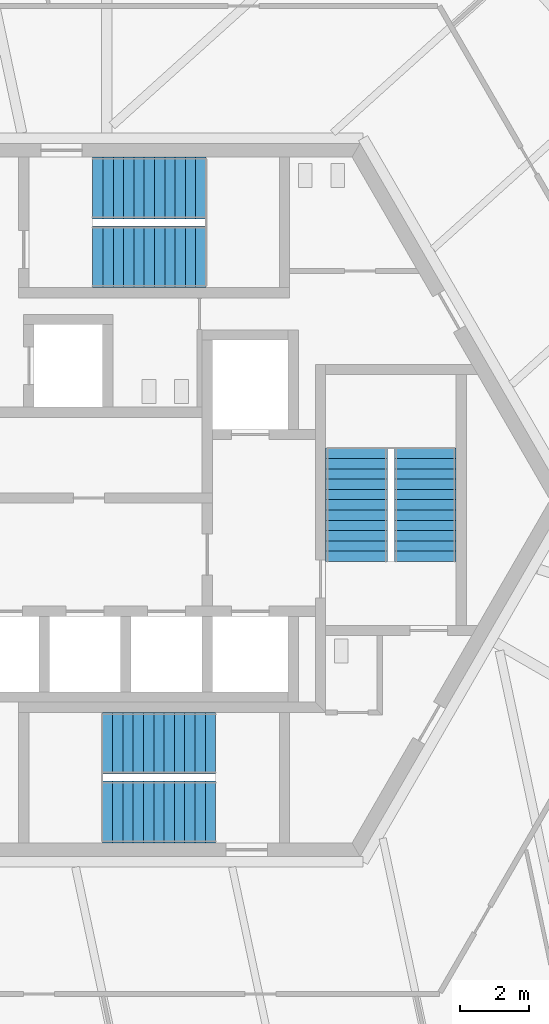
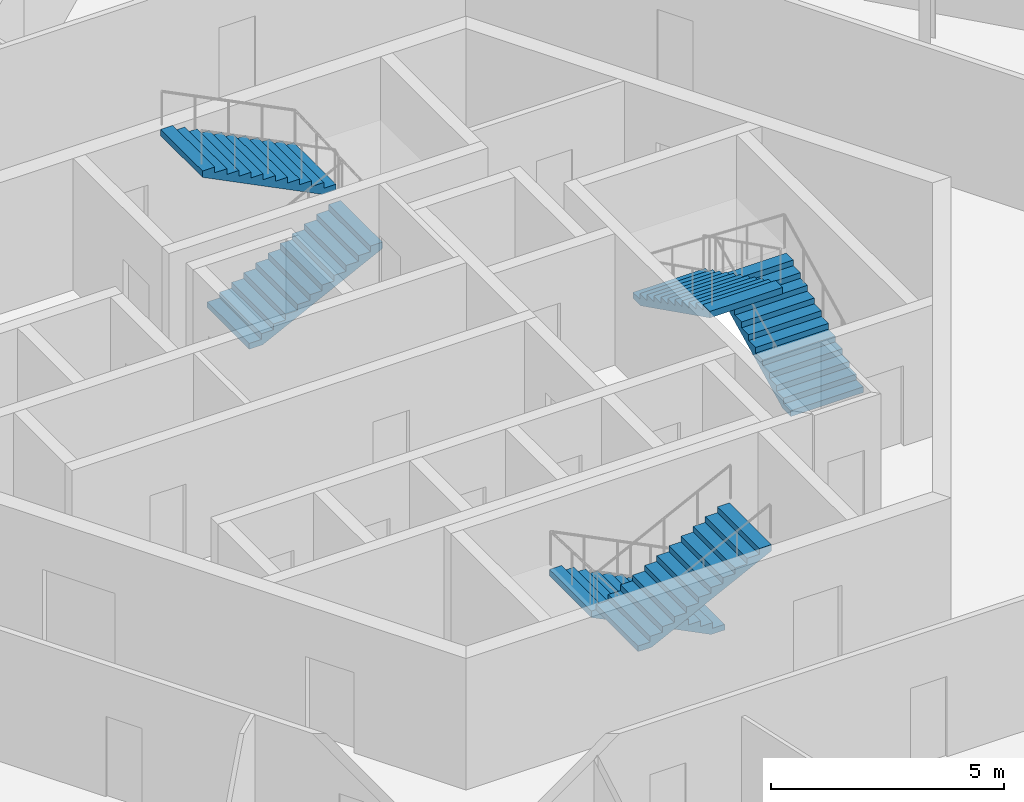
# One storey, part 13 of 15: 6 stair flights, 3 elements without a shape of their own.
"""IFC4 building model written with IfcOpenShell, lengths in metres."""

import ifcopenshell
import ifcopenshell.guid

model = None  # the IFC model being written
_history = None  # IfcOwnerHistory: only IFC2X3 demands one
_inside = {}  # id of a spatial element -> (the spatial element, [elements in it])
_under = {}  # id of a project, library or spatial element -> (it, [spatial elements below it])
_declared = {}  # id of a project -> (the project, [libraries it declares])
_typed = {}  # id of a type object -> (the type object, [elements of that type])
_made_of = {}  # id of a material, layer set ... -> (it, [elements and type objects made of it])


def new_model(schema):
    """Start an empty IFC model of exactly this schema.

    Asked for "IFC4X3", IfcOpenShell would pick the latest addendum, in which some entities
    have other attributes; the version numbers below select the first issue.
    IFC2X3 requires an IfcOwnerHistory on every rooted entity: one is made here for all.
    """
    global model, _history
    if schema == "IFC4X3":
        model = ifcopenshell.file(schema_version=(4, 3, 0, 0))
    else:
        model = ifcopenshell.file(schema=schema)
    _inside.clear()
    _under.clear()
    _declared.clear()
    _typed.clear()
    _made_of.clear()
    _history = None
    if model.schema == "IFC2X3":
        org = make("IfcOrganization", Name="unknown")
        user = make(
            "IfcPersonAndOrganization",
            ThePerson=make("IfcPerson", FamilyName="unknown"),
            TheOrganization=org,
        )
        app = make(
            "IfcApplication",
            ApplicationDeveloper=org,
            Version="unknown",
            ApplicationFullName="unknown",
            ApplicationIdentifier="unknown",
        )
        _history = make(
            "IfcOwnerHistory",
            OwningUser=user,
            OwningApplication=app,
            ChangeAction="ADDED",
            CreationDate=0,
        )
    return model


def make(cls, **values):
    """One entity of the class cls with the attributes given. An attribute that is None is left unset."""
    return model.create_entity(
        cls, **{name: value for name, value in values.items() if value is not None}
    )


def rooted(cls, **values):
    """An entity with a GlobalId (a new one), such as an element, a storey or a relation."""
    return make(cls, GlobalId=ifcopenshell.guid.new(), OwnerHistory=_history, **values)


def si_unit(unit_type, name, prefix=None):
    """IfcSIUnit, for example si_unit("LENGTHUNIT", "METRE", prefix="MILLI")."""
    return make("IfcSIUnit", UnitType=unit_type, Prefix=prefix, Name=name)


def assignment(units):
    """IfcUnitAssignment: the units of a project."""
    return None if units is None else make("IfcUnitAssignment", Units=units)


def point(xyz):
    """IfcCartesianPoint."""
    return None if xyz is None else make("IfcCartesianPoint", Coordinates=xyz)


def direction(xyz):
    """IfcDirection."""
    return None if xyz is None else make("IfcDirection", DirectionRatios=xyz)


def frame(location, z_axis=None, x_axis=None):
    """IfcAxis2Placement3D, a coordinate frame: its origin and axes. An axis left out is left unset."""
    return make(
        "IfcAxis2Placement3D",
        Location=point(location),
        Axis=direction(z_axis),
        RefDirection=direction(x_axis),
    )


def origin():
    """The frame at (0, 0, 0) with its axes left unset."""
    return frame((0.0, 0.0, 0.0))


def place(relative_to, where):
    """IfcLocalPlacement: puts the frame where relative to a parent placement (None: the world)."""
    return make(
        "IfcLocalPlacement", PlacementRelTo=relative_to, RelativePlacement=where
    )


def context(
    kind, dimensions, precision=None, world=None, true_north=None, identifier=None
):
    """IfcGeometricRepresentationContext, for example the 3D "Model" context."""
    return make(
        "IfcGeometricRepresentationContext",
        ContextIdentifier=identifier,
        ContextType=kind,
        CoordinateSpaceDimension=dimensions,
        Precision=precision,
        WorldCoordinateSystem=world,
        TrueNorth=true_north,
    )


def subcontext(parent, identifier, kind, view, scale=None):
    """IfcGeometricRepresentationSubContext, for example "Body" below "Model"."""
    return make(
        "IfcGeometricRepresentationSubContext",
        ContextIdentifier=identifier,
        ContextType=kind,
        ParentContext=parent,
        TargetScale=scale,
        TargetView=view,
    )


def project(units=None, contexts=None):
    """IfcProject with its units and contexts."""
    return rooted(
        "IfcProject",
        Name="project",
        RepresentationContexts=contexts,
        UnitsInContext=assignment(units),
    )


def spatial(cls, under=None, at=None, **own):
    """A site, building, storey or space (cls), placed at a placement, below another one or the project."""
    s = rooted(cls, ObjectPlacement=at, **own)
    if under is not None:
        _under.setdefault(under.id(), (under, []))[1].append(s)
    return s


def polyline(points):
    """IfcPolyline through the points."""
    return make("IfcPolyline", Points=[point(p) for p in points])


def outline(outer, holes=None, kind="AREA"):
    """IfcArbitraryClosedProfileDef: a profile drawn as a closed curve; with holes, ...WithVoids."""
    if holes is None:
        return make("IfcArbitraryClosedProfileDef", ProfileType=kind, OuterCurve=outer)
    return make(
        "IfcArbitraryProfileDefWithVoids",
        ProfileType=kind,
        OuterCurve=outer,
        InnerCurves=holes,
    )


def extrude(swept, where, along, depth):
    """IfcExtrudedAreaSolid: the profile swept, set in the frame where, extruded along a direction by depth."""
    return make(
        "IfcExtrudedAreaSolid",
        SweptArea=swept,
        Position=where,
        ExtrudedDirection=direction(along),
        Depth=depth,
    )


def shape(context_of_items, identifier, shape_type, items):
    """IfcShapeRepresentation: the items that make up one representation, for example the "Body"."""
    return make(
        "IfcShapeRepresentation",
        ContextOfItems=context_of_items,
        RepresentationIdentifier=identifier,
        RepresentationType=shape_type,
        Items=items,
    )


def source(mapping_origin, context_of_items, identifier, shape_type, items):
    """IfcRepresentationMap: a shape defined once, which mapped items show again and again."""
    return make(
        "IfcRepresentationMap",
        MappingOrigin=mapping_origin,
        MappedRepresentation=shape(context_of_items, identifier, shape_type, items),
    )


def transform(
    local_origin,
    x_axis=None,
    y_axis=None,
    z_axis=None,
    scale=None,
    scale2=None,
    scale3=None,
    uniform=True,
):
    """IfcCartesianTransformationOperator3D, or its non-uniform kind. x_axis, y_axis, z_axis: its Axis1, 2, 3."""
    if uniform:
        return make(
            "IfcCartesianTransformationOperator3D",
            Axis1=direction(x_axis),
            Axis2=direction(y_axis),
            LocalOrigin=point(local_origin),
            Scale=scale,
            Axis3=direction(z_axis),
        )
    return make(
        "IfcCartesianTransformationOperator3DnonUniform",
        Axis1=direction(x_axis),
        Axis2=direction(y_axis),
        LocalOrigin=point(local_origin),
        Scale=scale,
        Axis3=direction(z_axis),
        Scale2=scale2,
        Scale3=scale3,
    )


def mapped(mapping_source, mapping_target):
    """IfcMappedItem: shows the shape of a source again, moved by a transform."""
    return make(
        "IfcMappedItem", MappingSource=mapping_source, MappingTarget=mapping_target
    )


def material(Name=None, Category=None):
    """IfcMaterial."""
    return make("IfcMaterial", Name=Name, Category=Category)


def made_of(thing, what):
    """Note that an element or type object is made of a material, layer set ...; save() writes the relation."""
    if what is not None:
        _made_of.setdefault(what.id(), (what, []))[1].append(thing)
    return thing


def type_object(cls, material=None, **own):
    """A type object (cls), such as IfcWallType, which elements share."""
    return made_of(rooted(cls, **own), material)


def element(
    cls,
    number,
    at=None,
    inside=None,
    cuts=None,
    type_object=None,
    material=None,
    context=None,
    identifier="Body",
    shape_type=None,
    held_by="IfcProductDefinitionShape",
    body=None,
    shapes=None,
    **own,
):
    """One element of the class cls, such as IfcWall. Its Tag is "e" and its number.

    at: its placement. inside: the storey or other place that contains it. cuts: it is an
    opening in that element (IfcRelVoidsElement). A single representation is given by context,
    identifier, shape_type and body (its items); several are given by shapes. held_by: the class
    of the entity that holds the representations. save() writes the other relations.
    """
    e = rooted(cls, Tag="e%d" % number, ObjectPlacement=at, **own)
    if body is not None:
        shapes = [shape(context, identifier, shape_type, body)]
    if shapes is not None:
        e.Representation = make(held_by, Representations=shapes)
    if inside is not None:
        _inside.setdefault(inside.id(), (inside, []))[1].append(e)
    if cuts is not None:
        rooted(
            "IfcRelVoidsElement", RelatingBuildingElement=cuts, RelatedOpeningElement=e
        )
    if type_object is not None:
        _typed.setdefault(type_object.id(), (type_object, []))[1].append(e)
    return made_of(e, material)


def aggregate(whole, parts):
    """IfcRelAggregates: a whole, such as a stair, and the parts it consists of."""
    return rooted("IfcRelAggregates", RelatingObject=whole, RelatedObjects=parts)


def save(model, path):
    """Write the relations noted so far, then the file.

    IfcRelAggregates (storeys below a building ...), IfcRelContainedInSpatialStructure (elements
    in a storey), IfcRelDefinesByType, IfcRelAssociatesMaterial and IfcRelDeclares: one each for
    every whole, place, type object, material and project.
    """
    for whole, parts in _under.values():
        aggregate(whole, parts)
    for where, things in _inside.values():
        rooted(
            "IfcRelContainedInSpatialStructure",
            RelatedElements=things,
            RelatingStructure=where,
        )
    for kind, things in _typed.values():
        rooted("IfcRelDefinesByType", RelatedObjects=things, RelatingType=kind)
    for what, things in _made_of.values():
        rooted("IfcRelAssociatesMaterial", RelatedObjects=things, RelatingMaterial=what)
    for by, libraries in _declared.values():
        rooted("IfcRelDeclares", RelatingContext=by, RelatedDefinitions=libraries)
    model.write(path)


model = new_model("IFC4")

# Units and contexts
model_context = context("Model", 3, precision=1e-05, world=origin(), true_north=direction((0.0, 1.0)))
body_context = subcontext(model_context, "Body", "Model", "MODEL_VIEW")
ifc_project = project(units=[si_unit("LENGTHUNIT", "METRE"), si_unit("AREAUNIT", "SQUARE_METRE"), si_unit("VOLUMEUNIT", "CUBIC_METRE"), si_unit("PLANEANGLEUNIT", "RADIAN"), si_unit("MASSUNIT", "GRAM", prefix="KILO")], contexts=[model_context])

# Site, building, storey
site_placement = place(None, origin())
site = spatial("IfcSite", under=ifc_project, at=site_placement, CompositionType="ELEMENT")
building_placement = place(site_placement, origin())
building = spatial("IfcBuilding", under=site, at=building_placement, Name="Triune Harvest Tower", CompositionType="ELEMENT")
storey_placement = place(building_placement, frame((0.0, 0.0, 277.5)))
storey = spatial("IfcBuildingStorey", under=building, at=storey_placement, Name="L73", CompositionType="ELEMENT", Elevation=277.5)

# Stair, stair flights
ifc_material_1 = material(Name="Concrete 40 MPa", Category="concrete")
stair_type = type_object("IfcStairType", Name="Exit stair 1800 half turn", PredefinedType="HALF_TURN_STAIR", material=ifc_material_1)
stair_1_placement = place(storey_placement, origin())
stair_1 = element("IfcStair", 1, at=stair_1_placement, inside=storey, type_object=stair_type, Name="Exit stair north", PredefinedType="HALF_TURN_STAIR")
ifc_material_2 = material(Name="Concrete 40 MPa", Category="concrete")
stair_flight_type = type_object("IfcStairFlightType", Name="Stair flight 1800", PredefinedType="STRAIGHT", material=ifc_material_2)
shared_shape = source(origin(), body_context, "Body", "SweptSolid", [
    extrude(outline(polyline([(0.0, 0.0), (0.0, 0.14990234375), (0.300048828125, 0.14990234375), (0.300048828125, 0.300048828125), (0.60009765625, 0.300048828125), (0.60009765625, 0.449951171875), (0.89990234375, 0.449951171875), (0.89990234375, 0.60009765625), (1.199951171875, 0.60009765625), (1.199951171875, 0.75), (1.5, 0.75), (1.5, 0.89990234375), (1.800048828125, 0.89990234375), (1.800048828125, 1.050048828125), (2.10009765625, 1.050048828125), (2.10009765625, 1.199951171875), (2.39990234375, 1.199951171875), (2.39990234375, 1.35009765625), (2.699951171875, 1.35009765625), (2.699951171875, 1.5), (3.0, 1.5), (3.0, 1.64990234375), (3.300048828125, 1.64990234375), (3.300048828125, 1.800048828125), (3.300048828125, 1.482421875), (0.335205078125, 0.0), (0.0, 0.0)])), frame((0.0, 0.89990234375, 0.0), z_axis=(0.0, -1.0, 0.0), x_axis=(1.0, 0.0, 0.0)), (0.0, 0.0, 1.0), 1.800048828125),
])
stair_flight_1_placement = place(storey_placement, frame((-1.7900390625, 7.090087890625, 0.0), z_axis=(0.0, 0.0, 1.0), x_axis=(1.0, 0.0, 0.0)))
stair_flight_1 = element("IfcStairFlight", 2, at=stair_flight_1_placement, type_object=stair_flight_type, Name="ST-1 flight 1", NumberOfRisers=12, NumberOfTreads=11, PredefinedType="STRAIGHT", RiserHeight=0.15, TreadLength=0.3, context=body_context, shape_type="MappedRepresentation", body=[
    mapped(shared_shape, transform((0.0, 0.0, 0.0), scale=1.0)),
])
stair_flight_2_placement = place(storey_placement, frame((1.510009765625, 9.090087890625, 1.800048828125), z_axis=(0.0, 0.0, 1.0), x_axis=(-1.0, 0.0, 0.0)))
stair_flight_2 = element("IfcStairFlight", 3, at=stair_flight_2_placement, type_object=stair_flight_type, Name="ST-1 flight 2", NumberOfRisers=12, NumberOfTreads=11, PredefinedType="STRAIGHT", RiserHeight=0.15, TreadLength=0.3, context=body_context, shape_type="MappedRepresentation", body=[
    mapped(shared_shape, transform((0.0, 0.0, 0.0), scale=1.0)),
])
aggregate(stair_1, [stair_flight_1, stair_flight_2])

stair_2_placement = place(storey_placement, origin())
stair_2 = element("IfcStair", 4, at=stair_2_placement, inside=storey, type_object=stair_type, Name="Exit stair south", PredefinedType="HALF_TURN_STAIR")
stair_flight_3_placement = place(storey_placement, frame((1.7900390625, -7.090087890625, 0.0), z_axis=(0.0, 0.0, 1.0), x_axis=(-1.0, 0.0, 0.0)))
stair_flight_3 = element("IfcStairFlight", 5, at=stair_flight_3_placement, type_object=stair_flight_type, Name="ST-2 flight 1", NumberOfRisers=12, NumberOfTreads=11, PredefinedType="STRAIGHT", RiserHeight=0.15, TreadLength=0.3, context=body_context, shape_type="MappedRepresentation", body=[
    mapped(shared_shape, transform((0.0, 0.0, 0.0), scale=1.0)),
])
stair_flight_4_placement = place(storey_placement, frame((-1.510009765625, -9.090087890625, 1.800048828125), z_axis=(0.0, 0.0, 1.0), x_axis=(1.0, 0.0, 0.0)))
stair_flight_4 = element("IfcStairFlight", 6, at=stair_flight_4_placement, type_object=stair_flight_type, Name="ST-2 flight 2", NumberOfRisers=12, NumberOfTreads=11, PredefinedType="STRAIGHT", RiserHeight=0.15, TreadLength=0.3, context=body_context, shape_type="MappedRepresentation", body=[
    mapped(shared_shape, transform((0.0, 0.0, 0.0), scale=1.0)),
])
aggregate(stair_2, [stair_flight_3, stair_flight_4])

stair_3_placement = place(storey_placement, origin())
stair_3 = element("IfcStair", 7, at=stair_3_placement, inside=storey, type_object=stair_type, Name="Exit stair east", PredefinedType="HALF_TURN_STAIR")
stair_flight_5_placement = place(storey_placement, frame((7.89990234375, -1.7900390625, 0.0), z_axis=(0.0, 0.0, 1.0), x_axis=(0.0, 1.0, 0.0)))
stair_flight_5 = element("IfcStairFlight", 8, at=stair_flight_5_placement, type_object=stair_flight_type, Name="ST-3 flight 1", NumberOfRisers=12, NumberOfTreads=11, PredefinedType="STRAIGHT", RiserHeight=0.15, TreadLength=0.3, context=body_context, shape_type="MappedRepresentation", body=[
    mapped(shared_shape, transform((0.0, 0.0, 0.0), scale=1.0)),
])
stair_flight_6_placement = place(storey_placement, frame((5.89990234375, 1.510009765625, 1.800048828125), z_axis=(0.0, 0.0, 1.0), x_axis=(0.0, -1.0, 0.0)))
stair_flight_6 = element("IfcStairFlight", 9, at=stair_flight_6_placement, type_object=stair_flight_type, Name="ST-3 flight 2", NumberOfRisers=12, NumberOfTreads=11, PredefinedType="STRAIGHT", RiserHeight=0.15, TreadLength=0.3, context=body_context, shape_type="MappedRepresentation", body=[
    mapped(shared_shape, transform((0.0, 0.0, 0.0), scale=1.0)),
])
aggregate(stair_3, [stair_flight_5, stair_flight_6])

save(model, "model.ifc")
